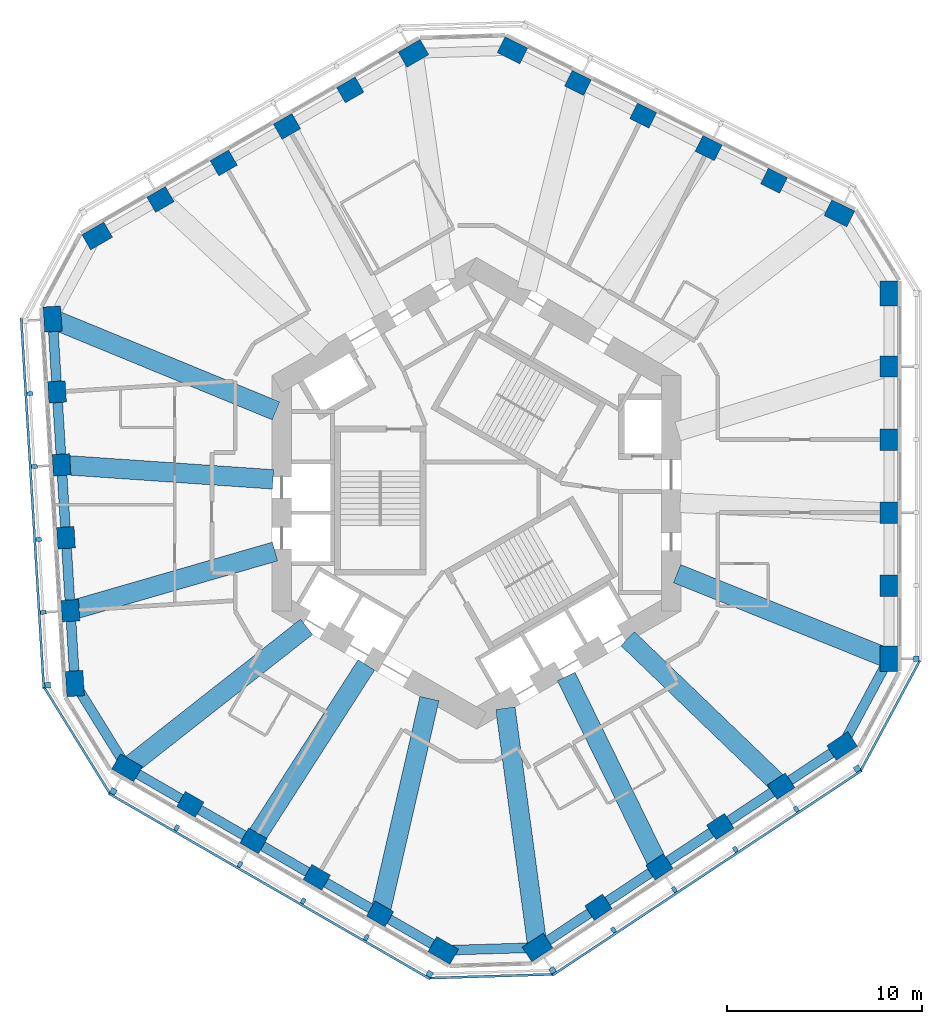
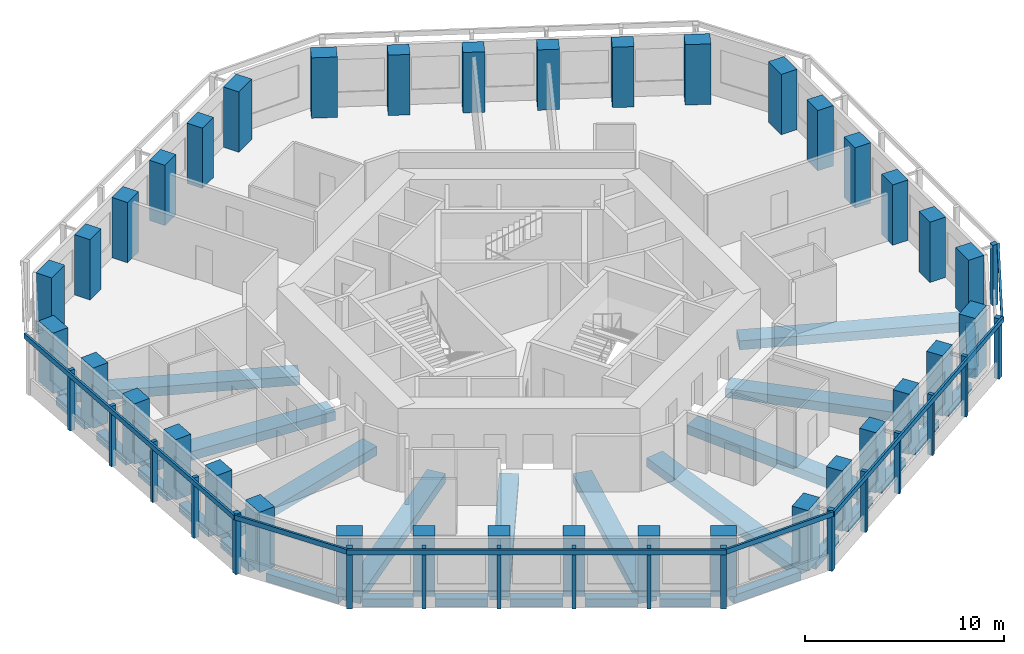
# One storey, part 1 of 11: 36 columns, 28 beams, 24 members, 7 elements without a shape of their own.
"""IFC4 building model written with IfcOpenShell, lengths in metres."""

from ifc_helpers import new_model, si_unit, direction, frame, origin, origin_2d, place, context, subcontext, project, spatial, rectangle, extrude, material, material_profile, profile_set, type_object, element, aggregate, save


model = new_model("IFC4")

# Units and contexts
model_context = context("Model", 3, precision=1e-05, world=origin(), true_north=direction((0.0, 1.0)))
body_context = subcontext(model_context, "Body", "Model", "MODEL_VIEW")
ifc_project = project(units=[si_unit("LENGTHUNIT", "METRE"), si_unit("AREAUNIT", "SQUARE_METRE"), si_unit("VOLUMEUNIT", "CUBIC_METRE"), si_unit("PLANEANGLEUNIT", "RADIAN"), si_unit("MASSUNIT", "GRAM", prefix="KILO")], contexts=[model_context])

# Site, building, storey
site_placement = place(None, origin())
site = spatial("IfcSite", under=ifc_project, at=site_placement, CompositionType="ELEMENT")
building_placement = place(site_placement, origin())
building = spatial("IfcBuilding", under=site, at=building_placement, Name="Vanh Sen Convention Tower", CompositionType="ELEMENT")
storey_placement = place(building_placement, frame((0.0, 0.0, 150.300048828125)))
storey = spatial("IfcBuildingStorey", under=building, at=storey_placement, Name="L36", CompositionType="ELEMENT", Elevation=150.300048828125)

# Columns
ifc_material_1 = material(Name="Concrete C80/95", Category="concrete")
ifc_material_profile_1 = material_profile(ifc_material_1, rectangle(XDim=1.10009765625, YDim=0.89990234375, at=origin_2d()), Name="RC 1100X900")
ifc_profile_set_1 = profile_set([ifc_material_profile_1], Name="Concrete C80/95")
column_type_1 = type_object("IfcColumnType", Name="Facade column 1100 x 900 C80/95", PredefinedType="COLUMN", material=ifc_profile_set_1)
for number, where, z_axis, x_axis, name in (
    (1, (21.199951171875, -4.746826171875, 0.0), (0.0, 0.0, 1.0), (0.0, 1.0, 0.0), "Facade column 02 L36"),
    (2, (21.199951171875, -0.992919921875, 0.0), (0.0, 0.0, 1.0), (0.0, 1.0, 0.0), "Facade column 03 L36"),
    (3, (21.199951171875, 2.76123046875, 0.0), (0.0, 0.0, 1.0), (0.0, 1.0, 0.0), "Facade column 04 L36"),
    (4, (21.199951171875, 6.515380859375, 0.0), (0.0, 0.0, 1.0), (0.0, 1.0, 0.0), "Facade column 05 L36"),
    (5, (15.290283203125, 16.0654296875, 0.0), (0.0, 0.0, 1.0), (-0.894934361602, 0.44619781311, 0.0), "Facade column 08 L36"),
    (6, (11.9306640625, 17.740478515625, 0.0), (0.0, 0.0, 1.0), (-0.894934361602, 0.44619781311, 0.0), "Facade column 09 L36"),
    (7, (8.57080078125, 19.41552734375, 0.0), (0.0, 0.0, 1.0), (-0.894934361602, 0.44619781311, 0.0), "Facade column 10 L36"),
    (8, (5.211181640625, 21.0908203125, 0.0), (0.0, 0.0, 1.0), (-0.894934361602, 0.44619781311, 0.0), "Facade column 11 L36"),
    (9, (-6.489013671875, 20.733154296875, 0.0), (0.0, 0.0, 1.0), (-0.866025403784, -0.5, 0.0), "Facade column 14 L36"),
    (10, (-9.740234375, 18.856201171875, 0.0), (0.0, 0.0, 1.0), (-0.866025403784, -0.5, 0.0), "Facade column 15 L36"),
    (11, (-12.991455078125, 16.97900390625, 0.0), (0.0, 0.0, 1.0), (-0.866025403784, -0.5, 0.0), "Facade column 16 L36"),
    (12, (-16.242431640625, 15.10205078125, 0.0), (0.0, 0.0, 1.0), (-0.866025403784, -0.5, 0.0), "Facade column 17 L36"),
    (13, (-21.55810546875, 5.208984375, 0.0), (0.0, 0.0, 1.0), (0.061048539535, -0.998134798422, 0.0), "Facade column 20 L36"),
    (14, (-21.3291015625, 1.4619140625, 0.0), (0.0, 0.0, 1.0), (0.061048539535, -0.998134798422, 0.0), "Facade column 21 L36"),
    (15, (-21.099853515625, -2.28515625, 0.0), (0.0, 0.0, 1.0), (0.061048539535, -0.998134798422, 0.0), "Facade column 22 L36"),
    (16, (-20.87060546875, -6.0322265625, 0.0), (0.0, 0.0, 1.0), (0.061048539535, -0.998134798422, 0.0), "Facade column 23 L36"),
    (17, (-14.7109375, -15.986328125, 0.0), (0.0, 0.0, 1.0), (0.866025403784, -0.5, 0.0), "Facade column 26 L36"),
    (18, (-11.459716796875, -17.86328125, 0.0), (0.0, 0.0, 1.0), (0.866025403784, -0.5, 0.0), "Facade column 27 L36"),
    (19, (-8.20849609375, -19.740478515625, 0.0), (0.0, 0.0, 1.0), (0.866025403784, -0.5, 0.0), "Facade column 28 L36"),
    (20, (-4.95751953125, -21.617431640625, 0.0), (0.0, 0.0, 1.0), (0.866025403784, -0.5, 0.0), "Facade column 29 L36"),
    (21, (6.267822265625, -21.2744140625, 0.0), (0.0, 0.0, 1.0), (0.833885822067, 0.551936985312, 0.0), "Facade column 32 L36"),
    (22, (9.3984375, -19.202392578125, 0.0), (0.0, 0.0, 1.0), (0.833885822067, 0.551936985312, 0.0), "Facade column 33 L36"),
    (23, (12.52880859375, -17.13037109375, 0.0), (0.0, 0.0, 1.0), (0.833885822067, 0.551936985312, 0.0), "Facade column 34 L36"),
    (24, (15.659423828125, -15.058349609375, 0.0), (0.0, 0.0, 1.0), (0.833885822067, 0.551936985312, 0.0), "Facade column 35 L36"),
):
    element("IfcColumn", number, at=place(storey_placement, frame(where, z_axis=z_axis, x_axis=x_axis)), inside=storey, type_object=column_type_1, Name=name, PredefinedType="COLUMN", context=body_context, shape_type="SweptSolid", body=[
        extrude(rectangle(XDim=1.10009765625, YDim=0.89990234375, at=origin_2d()), origin(), (0.0, 0.0, 1.0), 3.699951171875),
    ])
ifc_material_profile_2 = material_profile(ifc_material_1, rectangle(XDim=1.300048828125, YDim=0.89990234375, at=origin_2d()), Name="RC 1300X900")
ifc_profile_set_2 = profile_set([ifc_material_profile_2], Name="Concrete C80/95")
column_type_2 = type_object("IfcColumnType", Name="Facade corner column 1300 x 900 C80/95", PredefinedType="COLUMN", material=ifc_profile_set_2)
for number, where, z_axis, x_axis, name in (
    (25, (21.199951171875, -8.5009765625, 0.0), (0.0, 0.0, 1.0), (0.0, 1.0, 0.0), "Facade column 01 L36"),
    (26, (21.199951171875, 10.26953125, 0.0), (0.0, 0.0, 1.0), (0.0, 1.0, 0.0), "Facade column 06 L36"),
    (27, (18.64990234375, 14.390380859375, 0.0), (0.0, 0.0, 1.0), (-0.894934361602, 0.44619781311, 0.0), "Facade column 07 L36"),
    (28, (1.8515625, 22.765625, 0.0), (0.0, 0.0, 1.0), (-0.894934361602, 0.44619781311, 0.0), "Facade column 12 L36"),
    (29, (-3.23779296875, 22.610107421875, 0.0), (0.0, 0.0, 1.0), (-0.866025403784, -0.5, 0.0), "Facade column 13 L36"),
    (30, (-19.49365234375, 13.22509765625, 0.0), (0.0, 0.0, 1.0), (-0.866025403784, -0.5, 0.0), "Facade column 18 L36"),
    (31, (-21.787353515625, 8.956298828125, 0.0), (0.0, 0.0, 1.0), (0.061048539535, -0.998134798422, 0.0), "Facade column 19 L36"),
    (32, (-20.6416015625, -9.779296875, 0.0), (0.0, 0.0, 1.0), (0.061048539535, -0.998134798422, 0.0), "Facade column 24 L36"),
    (33, (-17.962158203125, -14.109130859375, 0.0), (0.0, 0.0, 1.0), (0.866025403784, -0.5, 0.0), "Facade column 25 L36"),
    (34, (-1.706298828125, -23.494384765625, 0.0), (0.0, 0.0, 1.0), (0.866025403784, -0.5, 0.0), "Facade column 30 L36"),
    (35, (3.137451171875, -23.346435546875, 0.0), (0.0, 0.0, 1.0), (0.833885822067, 0.551936985312, 0.0), "Facade column 31 L36"),
    (36, (18.789794921875, -12.986328125, 0.0), (0.0, 0.0, 1.0), (0.833885822067, 0.551936985312, 0.0), "Facade column 36 L36"),
):
    element("IfcColumn", number, at=place(storey_placement, frame(where, z_axis=z_axis, x_axis=x_axis)), inside=storey, type_object=column_type_2, Name=name, PredefinedType="COLUMN", context=body_context, shape_type="SweptSolid", body=[
        extrude(rectangle(XDim=1.300048828125, YDim=0.89990234375, at=origin_2d()), origin(), (0.0, 0.0, 1.0), 3.699951171875),
    ])

# Curtain wall, member
ifc_material_2 = material(Name="Concrete C50/60", Category="concrete")
curtain_wall_type = type_object("IfcCurtainWallType", Name="Outer skin office zone", PredefinedType="NOTDEFINED", material=ifc_material_2)
curtain_wall_1_placement = place(storey_placement, origin())
curtain_wall_1 = element("IfcCurtainWall", 37, at=curtain_wall_1_placement, inside=storey, type_object=curtain_wall_type, Name="OUTER SKIN E L36", PredefinedType="NOTDEFINED")
ifc_material_profile_3 = material_profile(ifc_material_2, rectangle(XDim=0.300048828125, YDim=0.300048828125, at=origin_2d()), Name="Outer skin precast corner fin 300 x 300")
ifc_profile_set_3 = profile_set([ifc_material_profile_3], Name="Concrete C50/60")
member_type_1 = type_object("IfcMemberType", Name="Outer skin precast corner fin 300 x 300", PredefinedType="MULLION", material=ifc_profile_set_3)
member_1_placement = place(storey_placement, frame((22.60009765625, -8.5009765625, 0.0), z_axis=(0.0, 0.0, 1.0), x_axis=(0.0, 1.0, 0.0)))
member_1 = element("IfcMember", 38, at=member_1_placement, type_object=member_type_1, Name="OUTER SKIN CORNER FIN 1 E L36", PredefinedType="MULLION", context=body_context, shape_type="SweptSolid", body=[
    extrude(rectangle(XDim=0.300048828125, YDim=0.300048828125, at=origin_2d()), origin(), (0.0, 0.0, 1.0), 3.699951171875),
])
aggregate(curtain_wall_1, [member_1])

curtain_wall_2_placement = place(storey_placement, origin())
curtain_wall_2 = element("IfcCurtainWall", 39, at=curtain_wall_2_placement, inside=storey, type_object=curtain_wall_type, Name="OUTER SKIN W L36", PredefinedType="NOTDEFINED")
member_2_placement = place(storey_placement, frame((-22.038818359375, -9.864990234375, 0.0), z_axis=(0.0, 0.0, 1.0), x_axis=(0.061048539535, -0.998134798422, 0.0)))
member_2 = element("IfcMember", 40, at=member_2_placement, type_object=member_type_1, Name="OUTER SKIN CORNER FIN 6 W L36", PredefinedType="MULLION", context=body_context, shape_type="SweptSolid", body=[
    extrude(rectangle(XDim=0.300048828125, YDim=0.300048828125, at=origin_2d()), origin(), (0.0, 0.0, 1.0), 3.699951171875),
])

# Curtain wall, members
curtain_wall_3_placement = place(storey_placement, origin())
curtain_wall_3 = element("IfcCurtainWall", 41, at=curtain_wall_3_placement, inside=storey, type_object=curtain_wall_type, Name="OUTER SKIN SW L36", PredefinedType="NOTDEFINED")
member_3_placement = place(storey_placement, frame((-18.662109375, -15.321533203125, 0.0), z_axis=(0.0, 0.0, 1.0), x_axis=(0.866025403784, -0.5, 0.0)))
member_3 = element("IfcMember", 42, at=member_3_placement, type_object=member_type_1, Name="OUTER SKIN CORNER FIN 1 SW L36", PredefinedType="MULLION", context=body_context, shape_type="SweptSolid", body=[
    extrude(rectangle(XDim=0.300048828125, YDim=0.300048828125, at=origin_2d()), origin(), (0.0, 0.0, 1.0), 3.699951171875),
])
member_4_placement = place(storey_placement, frame((-2.40625, -24.706787109375, 0.0), z_axis=(0.0, 0.0, 1.0), x_axis=(0.866025403784, -0.5, 0.0)))
member_4 = element("IfcMember", 43, at=member_4_placement, type_object=member_type_1, Name="OUTER SKIN CORNER FIN 6 SW L36", PredefinedType="MULLION", context=body_context, shape_type="SweptSolid", body=[
    extrude(rectangle(XDim=0.300048828125, YDim=0.300048828125, at=origin_2d()), origin(), (0.0, 0.0, 1.0), 3.699951171875),
])

curtain_wall_4_placement = place(storey_placement, origin())
curtain_wall_4 = element("IfcCurtainWall", 44, at=curtain_wall_4_placement, inside=storey, type_object=curtain_wall_type, Name="OUTER SKIN SE L36", PredefinedType="NOTDEFINED")
member_5_placement = place(storey_placement, frame((3.91015625, -24.513916015625, 0.0), z_axis=(0.0, 0.0, 1.0), x_axis=(0.833885822067, 0.551936985312, 0.0)))
member_5 = element("IfcMember", 45, at=member_5_placement, type_object=member_type_1, Name="OUTER SKIN CORNER FIN 1 SE L36", PredefinedType="MULLION", context=body_context, shape_type="SweptSolid", body=[
    extrude(rectangle(XDim=0.300048828125, YDim=0.300048828125, at=origin_2d()), origin(), (0.0, 0.0, 1.0), 3.699951171875),
])
member_6_placement = place(storey_placement, frame((19.5625, -14.15380859375, 0.0), z_axis=(0.0, 0.0, 1.0), x_axis=(0.833885822067, 0.551936985312, 0.0)))
member_6 = element("IfcMember", 46, at=member_6_placement, type_object=member_type_1, Name="OUTER SKIN CORNER FIN 6 SE L36", PredefinedType="MULLION", context=body_context, shape_type="SweptSolid", body=[
    extrude(rectangle(XDim=0.300048828125, YDim=0.300048828125, at=origin_2d()), origin(), (0.0, 0.0, 1.0), 3.699951171875),
])

# Member
ifc_material_profile_4 = material_profile(ifc_material_2, rectangle(XDim=0.199951171875, YDim=0.300048828125, at=origin_2d()), Name="Outer skin precast fin 200 x 300")
ifc_profile_set_4 = profile_set([ifc_material_profile_4], Name="Concrete C50/60")
member_type_2 = type_object("IfcMemberType", Name="Outer skin precast fin 200 x 300", PredefinedType="MULLION", material=ifc_profile_set_4)
member_7_placement = place(storey_placement, frame((-22.95556640625, 5.12353515625, 0.0), z_axis=(0.0, 0.0, 1.0), x_axis=(0.061048539535, -0.998134798422, 0.0)))
member_7 = element("IfcMember", 47, at=member_7_placement, type_object=member_type_2, Name="OUTER SKIN fin 2 W L36", PredefinedType="MULLION", context=body_context, shape_type="SweptSolid", body=[
    extrude(rectangle(XDim=0.199951171875, YDim=0.300048828125, at=origin_2d()), origin(), (0.0, 0.0, 1.0), 3.699951171875),
])

member_8_placement = place(storey_placement, frame((-22.726318359375, 1.37646484375, 0.0), z_axis=(0.0, 0.0, 1.0), x_axis=(0.061048539535, -0.998134798422, 0.0)))
member_8 = element("IfcMember", 48, at=member_8_placement, type_object=member_type_2, Name="OUTER SKIN fin 3 W L36", PredefinedType="MULLION", context=body_context, shape_type="SweptSolid", body=[
    extrude(rectangle(XDim=0.199951171875, YDim=0.300048828125, at=origin_2d()), origin(), (0.0, 0.0, 1.0), 3.699951171875),
])

member_9_placement = place(storey_placement, frame((-22.497314453125, -2.37060546875, 0.0), z_axis=(0.0, 0.0, 1.0), x_axis=(0.061048539535, -0.998134798422, 0.0)))
member_9 = element("IfcMember", 49, at=member_9_placement, type_object=member_type_2, Name="OUTER SKIN fin 4 W L36", PredefinedType="MULLION", context=body_context, shape_type="SweptSolid", body=[
    extrude(rectangle(XDim=0.199951171875, YDim=0.300048828125, at=origin_2d()), origin(), (0.0, 0.0, 1.0), 3.699951171875),
])

member_10_placement = place(storey_placement, frame((-22.26806640625, -6.117919921875, 0.0), z_axis=(0.0, 0.0, 1.0), x_axis=(0.061048539535, -0.998134798422, 0.0)))
member_10 = element("IfcMember", 50, at=member_10_placement, type_object=member_type_2, Name="OUTER SKIN fin 5 W L36", PredefinedType="MULLION", context=body_context, shape_type="SweptSolid", body=[
    extrude(rectangle(XDim=0.199951171875, YDim=0.300048828125, at=origin_2d()), origin(), (0.0, 0.0, 1.0), 3.699951171875),
])

member_11_placement = place(storey_placement, frame((-15.410888671875, -17.19873046875, 0.0), z_axis=(0.0, 0.0, 1.0), x_axis=(0.866025403784, -0.5, 0.0)))
member_11 = element("IfcMember", 51, at=member_11_placement, type_object=member_type_2, Name="OUTER SKIN fin 2 SW L36", PredefinedType="MULLION", context=body_context, shape_type="SweptSolid", body=[
    extrude(rectangle(XDim=0.199951171875, YDim=0.300048828125, at=origin_2d()), origin(), (0.0, 0.0, 1.0), 3.699951171875),
])

member_12_placement = place(storey_placement, frame((-12.159912109375, -19.07568359375, 0.0), z_axis=(0.0, 0.0, 1.0), x_axis=(0.866025403784, -0.5, 0.0)))
member_12 = element("IfcMember", 52, at=member_12_placement, type_object=member_type_2, Name="OUTER SKIN fin 3 SW L36", PredefinedType="MULLION", context=body_context, shape_type="SweptSolid", body=[
    extrude(rectangle(XDim=0.199951171875, YDim=0.300048828125, at=origin_2d()), origin(), (0.0, 0.0, 1.0), 3.699951171875),
])

member_13_placement = place(storey_placement, frame((-8.90869140625, -20.952880859375, 0.0), z_axis=(0.0, 0.0, 1.0), x_axis=(0.866025403784, -0.5, 0.0)))
member_13 = element("IfcMember", 53, at=member_13_placement, type_object=member_type_2, Name="OUTER SKIN fin 4 SW L36", PredefinedType="MULLION", context=body_context, shape_type="SweptSolid", body=[
    extrude(rectangle(XDim=0.199951171875, YDim=0.300048828125, at=origin_2d()), origin(), (0.0, 0.0, 1.0), 3.699951171875),
])

member_14_placement = place(storey_placement, frame((-5.657470703125, -22.829833984375, 0.0), z_axis=(0.0, 0.0, 1.0), x_axis=(0.866025403784, -0.5, 0.0)))
member_14 = element("IfcMember", 54, at=member_14_placement, type_object=member_type_2, Name="OUTER SKIN fin 5 SW L36", PredefinedType="MULLION", context=body_context, shape_type="SweptSolid", body=[
    extrude(rectangle(XDim=0.199951171875, YDim=0.300048828125, at=origin_2d()), origin(), (0.0, 0.0, 1.0), 3.699951171875),
])

member_15_placement = place(storey_placement, frame((7.04052734375, -22.44189453125, 0.0), z_axis=(0.0, 0.0, 1.0), x_axis=(0.833885822067, 0.551936985312, 0.0)))
member_15 = element("IfcMember", 55, at=member_15_placement, type_object=member_type_2, Name="OUTER SKIN fin 2 SE L36", PredefinedType="MULLION", context=body_context, shape_type="SweptSolid", body=[
    extrude(rectangle(XDim=0.199951171875, YDim=0.300048828125, at=origin_2d()), origin(), (0.0, 0.0, 1.0), 3.699951171875),
])

member_16_placement = place(storey_placement, frame((10.171142578125, -20.369873046875, 0.0), z_axis=(0.0, 0.0, 1.0), x_axis=(0.833885822067, 0.551936985312, 0.0)))
member_16 = element("IfcMember", 56, at=member_16_placement, type_object=member_type_2, Name="OUTER SKIN fin 3 SE L36", PredefinedType="MULLION", context=body_context, shape_type="SweptSolid", body=[
    extrude(rectangle(XDim=0.199951171875, YDim=0.300048828125, at=origin_2d()), origin(), (0.0, 0.0, 1.0), 3.699951171875),
])

member_17_placement = place(storey_placement, frame((13.301513671875, -18.2978515625, 0.0), z_axis=(0.0, 0.0, 1.0), x_axis=(0.833885822067, 0.551936985312, 0.0)))
member_17 = element("IfcMember", 57, at=member_17_placement, type_object=member_type_2, Name="OUTER SKIN fin 4 SE L36", PredefinedType="MULLION", context=body_context, shape_type="SweptSolid", body=[
    extrude(rectangle(XDim=0.199951171875, YDim=0.300048828125, at=origin_2d()), origin(), (0.0, 0.0, 1.0), 3.699951171875),
])

member_18_placement = place(storey_placement, frame((16.43212890625, -16.225830078125, 0.0), z_axis=(0.0, 0.0, 1.0), x_axis=(0.833885822067, 0.551936985312, 0.0)))
member_18 = element("IfcMember", 58, at=member_18_placement, type_object=member_type_2, Name="OUTER SKIN fin 5 SE L36", PredefinedType="MULLION", context=body_context, shape_type="SweptSolid", body=[
    extrude(rectangle(XDim=0.199951171875, YDim=0.300048828125, at=origin_2d()), origin(), (0.0, 0.0, 1.0), 3.699951171875),
])

ifc_material_profile_5 = material_profile(ifc_material_2, rectangle(XDim=0.1201171875, YDim=0.300048828125, at=origin_2d()), Name="Outer skin precast spandrel band 300 x 120")
ifc_profile_set_5 = profile_set([ifc_material_profile_5], Name="Concrete C50/60")
member_type_3 = type_object("IfcMemberType", Name="Outer skin precast spandrel band 300 x 120", PredefinedType="USERDEFINED", material=ifc_profile_set_5)
member_19_placement = place(storey_placement, frame((-23.403564453125, 9.007568359375, 3.550048828125), z_axis=(0.061052799403, -0.998134537868, 0.0), x_axis=(0.998134537868, 0.061052799403, 0.0)))
member_19 = element("IfcMember", 59, at=member_19_placement, type_object=member_type_3, Name="OUTER SKIN spandrel band W L36", ObjectType="TRANSOM", PredefinedType="USERDEFINED", context=body_context, shape_type="SweptSolid", body=[
    extrude(rectangle(XDim=0.1201171875, YDim=0.300048828125, at=origin_2d()), origin(), (0.0, 0.0, 1.0), 19.070556640625),
])

aggregate(curtain_wall_2, [member_7, member_8, member_9, member_10, member_2, member_19])

# Curtain wall, member
curtain_wall_5_placement = place(storey_placement, origin())
curtain_wall_5 = element("IfcCurtainWall", 60, at=curtain_wall_5_placement, inside=storey, type_object=curtain_wall_type, Name="OUTER SKIN CH4 L36", PredefinedType="NOTDEFINED")
member_20_placement = place(storey_placement, frame((-22.217529296875, -9.975341796875, 3.550048828125), z_axis=(0.526207913146, -0.85035594438, 0.0), x_axis=(0.85035594438, 0.526207913146, 0.0)))
member_20 = element("IfcMember", 61, at=member_20_placement, type_object=member_type_3, Name="OUTER SKIN spandrel band CH4 L36", ObjectType="TRANSOM", PredefinedType="USERDEFINED", context=body_context, shape_type="SweptSolid", body=[
    extrude(rectangle(XDim=0.1201171875, YDim=0.300048828125, at=origin_2d()), origin(), (0.0, 0.0, 1.0), 6.4169921875),
])
aggregate(curtain_wall_5, [member_20])

# Member
member_21_placement = place(storey_placement, frame((-18.89697265625, -15.428466796875, 3.550048828125), z_axis=(0.866023136587, -0.500003926881, 0.0), x_axis=(0.500003926881, 0.866023136587, 0.0)))
member_21 = element("IfcMember", 62, at=member_21_placement, type_object=member_type_3, Name="OUTER SKIN spandrel band SW L36", ObjectType="TRANSOM", PredefinedType="USERDEFINED", context=body_context, shape_type="SweptSolid", body=[
    extrude(rectangle(XDim=0.1201171875, YDim=0.300048828125, at=origin_2d()), origin(), (0.0, 0.0, 1.0), 19.070556640625),
])

aggregate(curtain_wall_3, [member_3, member_11, member_12, member_13, member_14, member_4, member_21])

# Curtain wall, member
curtain_wall_6_placement = place(storey_placement, origin())
curtain_wall_6 = element("IfcCurtainWall", 63, at=curtain_wall_6_placement, inside=storey, type_object=curtain_wall_type, Name="OUTER SKIN CH5 L36", PredefinedType="NOTDEFINED")
member_22_placement = place(storey_placement, frame((-2.39990234375, -24.916748046875, 3.550048828125), z_axis=(0.99953413443, 0.030520716071, 0.0), x_axis=(-0.030520716071, 0.99953413443, 0.0)))
member_22 = element("IfcMember", 64, at=member_22_placement, type_object=member_type_3, Name="OUTER SKIN spandrel band CH5 L36", ObjectType="TRANSOM", PredefinedType="USERDEFINED", context=body_context, shape_type="SweptSolid", body=[
    extrude(rectangle(XDim=0.1201171875, YDim=0.300048828125, at=origin_2d()), origin(), (0.0, 0.0, 1.0), 6.3193359375),
])
aggregate(curtain_wall_6, [member_22])

# Member
member_23_placement = place(storey_placement, frame((3.90087890625, -24.771728515625, 3.550048828125), z_axis=(0.833891134859, 0.551928958475, 0.0), x_axis=(-0.551928958475, 0.833891134859, 0.0)))
member_23 = element("IfcMember", 65, at=member_23_placement, type_object=member_type_3, Name="OUTER SKIN spandrel band SE L36", ObjectType="TRANSOM", PredefinedType="USERDEFINED", context=body_context, shape_type="SweptSolid", body=[
    extrude(rectangle(XDim=0.1201171875, YDim=0.300048828125, at=origin_2d()), origin(), (0.0, 0.0, 1.0), 19.070556640625),
])

aggregate(curtain_wall_4, [member_5, member_15, member_16, member_17, member_18, member_6, member_23])

# Curtain wall, member
curtain_wall_7_placement = place(storey_placement, origin())
curtain_wall_7 = element("IfcCurtainWall", 66, at=curtain_wall_7_placement, inside=storey, type_object=curtain_wall_type, Name="OUTER SKIN CH6 L36", PredefinedType="NOTDEFINED")
member_24_placement = place(storey_placement, frame((19.74755859375, -14.253173828125, 3.550048828125), z_axis=(0.473316922434, 0.880892213008, 0.0), x_axis=(-0.880892213008, 0.473316922434, 0.0)))
member_24 = element("IfcMember", 67, at=member_24_placement, type_object=member_type_3, Name="OUTER SKIN spandrel band CH6 L36", ObjectType="TRANSOM", PredefinedType="USERDEFINED", context=body_context, shape_type="SweptSolid", body=[
    extrude(rectangle(XDim=0.1201171875, YDim=0.300048828125, at=origin_2d()), origin(), (0.0, 0.0, 1.0), 6.417236328125),
])
aggregate(curtain_wall_7, [member_24])

# Beams
ifc_material_3 = material(Name="Concrete C50/60", Category="concrete")
ifc_material_profile_6 = material_profile(ifc_material_3, rectangle(XDim=1.0, YDim=0.550048828125, at=origin_2d()), Name="RC 1000X550")
ifc_profile_set_6 = profile_set([ifc_material_profile_6], Name="Concrete C50/60")
beam_type_1 = type_object("IfcBeamType", Name="Radial floor beam 1000 x 550", PredefinedType="BEAM", material=ifc_profile_set_6)
beam_1_placement = place(storey_placement, frame((20.940673828125, -8.39697265625, -0.554931640625), z_axis=(-0.928155894618, 0.372191664718, 0.0), x_axis=(-0.372191664718, -0.928155894618, 0.0)))
element("IfcBeam", 68, at=beam_1_placement, inside=storey, type_object=beam_type_1, Name="Radial beam 01 L36", PredefinedType="BEAM", context=body_context, shape_type="SweptSolid", body=[
    extrude(rectangle(XDim=1.0, YDim=0.550048828125, at=origin_2d()), origin(), (0.0, 0.0, 1.0), 11.454345703125),
])
beam_2_placement = place(storey_placement, frame((-21.5537109375, 8.860107421875, -0.554931640625), z_axis=(0.924898704651, -0.380213605932, 0.0), x_axis=(0.380213605932, 0.924898704651, 0.0)))
element("IfcBeam", 69, at=beam_2_placement, inside=storey, type_object=beam_type_1, Name="Radial beam 10 L36", PredefinedType="BEAM", context=body_context, shape_type="SweptSolid", body=[
    extrude(rectangle(XDim=1.0, YDim=0.550048828125, at=origin_2d()), origin(), (0.0, 0.0, 1.0), 12.16162109375),
])
beam_3_placement = place(storey_placement, frame((-20.9462890625, 1.435791015625, -0.554931640625), z_axis=(0.997658941032, -0.068385944315, 0.0), x_axis=(0.068385944315, 0.997658941032, 0.0)))
element("IfcBeam", 70, at=beam_3_placement, inside=storey, type_object=beam_type_1, Name="Radial beam 11 L36", PredefinedType="BEAM", context=body_context, shape_type="SweptSolid", body=[
    extrude(rectangle(XDim=1.0, YDim=0.550048828125, at=origin_2d()), origin(), (0.0, 0.0, 1.0), 10.51025390625),
])
beam_4_placement = place(storey_placement, frame((-20.602783203125, -5.954833984375, -0.554931640625), z_axis=(0.960679861027, 0.277658431563, 0.0), x_axis=(-0.277658431563, 0.960679861027, 0.0)))
element("IfcBeam", 71, at=beam_4_placement, inside=storey, type_object=beam_type_1, Name="Radial beam 12 L36", PredefinedType="BEAM", context=body_context, shape_type="SweptSolid", body=[
    extrude(rectangle(XDim=1.0, YDim=0.550048828125, at=origin_2d()), origin(), (0.0, 0.0, 1.0), 10.665771484375),
])
beam_5_placement = place(storey_placement, frame((-17.742431640625, -13.936767578125, -0.554931640625), z_axis=(0.786390075882, 0.617730239307, 0.0), x_axis=(-0.617730239307, 0.786390075882, 0.0)))
element("IfcBeam", 72, at=beam_5_placement, inside=storey, type_object=beam_type_1, Name="Radial beam 13 L36", PredefinedType="BEAM", context=body_context, shape_type="SweptSolid", body=[
    extrude(rectangle(XDim=1.0, YDim=0.550048828125, at=origin_2d()), origin(), (0.0, 0.0, 1.0), 11.454345703125),
])
beam_6_placement = place(storey_placement, frame((-11.23193359375, -17.508056640625, -0.554931640625), z_axis=(0.539975252329, 0.841680893731, 0.0), x_axis=(-0.841680893731, 0.539975252329, 0.0)))
element("IfcBeam", 73, at=beam_6_placement, inside=storey, type_object=beam_type_1, Name="Radial beam 14 L36", PredefinedType="BEAM", context=body_context, shape_type="SweptSolid", body=[
    extrude(rectangle(XDim=1.0, YDim=0.550048828125, at=origin_2d()), origin(), (0.0, 0.0, 1.0), 10.318115234375),
])
beam_7_placement = place(storey_placement, frame((-4.90380859375, -21.38330078125, -0.554931640625), z_axis=(0.22352270498, 0.974698722867, 0.0), x_axis=(-0.974698722867, 0.22352270498, 0.0)))
element("IfcBeam", 74, at=beam_7_placement, inside=storey, type_object=beam_type_1, Name="Radial beam 15 L36", PredefinedType="BEAM", context=body_context, shape_type="SweptSolid", body=[
    extrude(rectangle(XDim=1.0, YDim=0.550048828125, at=origin_2d()), origin(), (0.0, 0.0, 1.0), 11.112548828125),
])
beam_8_placement = place(storey_placement, frame((3.103759765625, -23.095947265625, -0.554931640625), z_axis=(-0.133195875593, 0.991089732933, 0.0), x_axis=(-0.991089732933, -0.133195875593, 0.0)))
element("IfcBeam", 75, at=beam_8_placement, inside=storey, type_object=beam_type_1, Name="Radial beam 16 L36", PredefinedType="BEAM", context=body_context, shape_type="SweptSolid", body=[
    extrude(rectangle(XDim=1.0, YDim=0.550048828125, at=origin_2d()), origin(), (0.0, 0.0, 1.0), 12.16162109375),
])
beam_9_placement = place(storey_placement, frame((9.229736328125, -18.85791015625, -0.554931640625), z_axis=(-0.439596726485, 0.898195256091, 0.0), x_axis=(-0.898195256091, -0.439596726485, 0.0)))
element("IfcBeam", 76, at=beam_9_placement, inside=storey, type_object=beam_type_1, Name="Radial beam 17 L36", PredefinedType="BEAM", context=body_context, shape_type="SweptSolid", body=[
    extrude(rectangle(XDim=1.0, YDim=0.550048828125, at=origin_2d()), origin(), (0.0, 0.0, 1.0), 10.510009765625),
])
beam_10_placement = place(storey_placement, frame((15.458251953125, -14.864990234375, -0.554931640625), z_axis=(-0.720797435076, 0.693145769365, 0.0), x_axis=(-0.693145769365, -0.720797435076, 0.0)))
element("IfcBeam", 77, at=beam_10_placement, inside=storey, type_object=beam_type_1, Name="Radial beam 18 L36", PredefinedType="BEAM", context=body_context, shape_type="SweptSolid", body=[
    extrude(rectangle(XDim=1.0, YDim=0.550048828125, at=origin_2d()), origin(), (0.0, 0.0, 1.0), 10.66552734375),
])
ifc_material_profile_7 = material_profile(ifc_material_3, rectangle(XDim=0.5, YDim=0.5, at=origin_2d()), Name="RC 500X500")
ifc_profile_set_7 = profile_set([ifc_material_profile_7], Name="Concrete C50/60")
beam_type_2 = type_object("IfcBeamType", Name="Spandrel beam 500 x 500", PredefinedType="SPANDREL", material=ifc_profile_set_7)
beam_11_placement = place(storey_placement, frame((-21.748046875, 8.3125, -0.530029296875), z_axis=(0.061026827248, -0.998136126165, 0.0), x_axis=(0.998136126165, 0.061026827248, 0.0)))
element("IfcBeam", 78, at=beam_11_placement, inside=storey, type_object=beam_type_2, Name="Spandrel beam 19 L36", PredefinedType="SPANDREL", context=body_context, shape_type="SweptSolid", body=[
    extrude(rectangle(XDim=0.5, YDim=0.5, at=origin_2d()), origin(), (0.0, 0.0, 1.0), 2.564453125),
])
beam_12_placement = place(storey_placement, frame((-21.52490234375, 4.665283203125, -0.530029296875), z_axis=(0.061026226429, -0.9981361629, 0.0), x_axis=(0.9981361629, 0.061026226429, 0.0)))
element("IfcBeam", 79, at=beam_12_placement, inside=storey, type_object=beam_type_2, Name="Spandrel beam 20 L36", PredefinedType="SPANDREL", context=body_context, shape_type="SweptSolid", body=[
    extrude(rectangle(XDim=0.5, YDim=0.5, at=origin_2d()), origin(), (0.0, 0.0, 1.0), 2.664306640625),
])
for number, where, z_axis, x_axis, name in (
    (80, (-21.295654296875, 0.91796875, -0.530029296875), (0.061031808409, -0.998135821601, 0.0), (0.998135821601, 0.061031808409, 0.0), "Spandrel beam 21 L36"),
    (81, (-21.06640625, -2.8291015625, -0.530029296875), (0.060940509637, -0.998141399946, 0.0), (0.998141399946, 0.060940509637, 0.0), "Spandrel beam 22 L36"),
):
    element("IfcBeam", number, at=place(storey_placement, frame(where, z_axis=z_axis, x_axis=x_axis)), inside=storey, type_object=beam_type_2, Name=name, PredefinedType="SPANDREL", context=body_context, shape_type="SweptSolid", body=[
        extrude(rectangle(XDim=0.5, YDim=0.5, at=origin_2d()), origin(), (0.0, 0.0, 1.0), 2.6640625),
    ])
beam_13_placement = place(storey_placement, frame((-20.83740234375, -6.576171875, -0.530029296875), z_axis=(0.061032627068, -0.998135771543, 0.0), x_axis=(0.998135771543, 0.061032627068, 0.0)))
element("IfcBeam", 82, at=beam_13_placement, inside=storey, type_object=beam_type_2, Name="Spandrel beam 23 L36", PredefinedType="SPANDREL", context=body_context, shape_type="SweptSolid", body=[
    extrude(rectangle(XDim=0.5, YDim=0.5, at=origin_2d()), origin(), (0.0, 0.0, 1.0), 2.564208984375),
])
beam_14_placement = place(storey_placement, frame((-20.388671875, -10.18798828125, -0.530029296875), z_axis=(0.526232532359, -0.850340709297, 0.0), x_axis=(0.850340709297, 0.526232532359, 0.0)))
element("IfcBeam", 83, at=beam_14_placement, inside=storey, type_object=beam_type_2, Name="Spandrel beam 24 L36", PredefinedType="SPANDREL", context=body_context, shape_type="SweptSolid", body=[
    extrude(rectangle(XDim=0.5, YDim=0.5, at=origin_2d()), origin(), (0.0, 0.0, 1.0), 4.130859375),
])
beam_15_placement = place(storey_placement, frame((-17.403564453125, -14.431640625, -0.530029296875), z_axis=(0.866008007854, -0.500030129425, 0.0), x_axis=(0.500030129425, 0.866008007854, 0.0)))
element("IfcBeam", 84, at=beam_15_placement, inside=storey, type_object=beam_type_2, Name="Spandrel beam 25 L36", PredefinedType="SPANDREL", context=body_context, shape_type="SweptSolid", body=[
    extrude(rectangle(XDim=0.5, YDim=0.5, at=origin_2d()), origin(), (0.0, 0.0, 1.0), 2.564208984375),
])
for number, where, z_axis, x_axis, name in (
    (85, (-14.239013671875, -16.2587890625, -0.530029296875), (0.866023818221, -0.500002746266, 0.0), (0.500002746266, 0.866023818221, 0.0), "Spandrel beam 26 L36"),
    (86, (-10.98779296875, -18.1357421875, -0.530029296875), (0.8659841347, -0.500071473339, 0.0), (0.500071473339, 0.8659841347, 0.0), "Spandrel beam 27 L36"),
    (87, (-7.736572265625, -20.012939453125, -0.530029296875), (0.866023818221, -0.500002746266, 0.0), (0.500002746266, 0.866023818221, 0.0), "Spandrel beam 28 L36"),
):
    element("IfcBeam", number, at=place(storey_placement, frame(where, z_axis=z_axis, x_axis=x_axis)), inside=storey, type_object=beam_type_2, Name=name, PredefinedType="SPANDREL", context=body_context, shape_type="SweptSolid", body=[
        extrude(rectangle(XDim=0.5, YDim=0.5, at=origin_2d()), origin(), (0.0, 0.0, 1.0), 2.6640625),
    ])
beam_16_placement = place(storey_placement, frame((-4.485595703125, -21.889892578125, -0.530029296875), z_axis=(0.866008007854, -0.500030129425, 0.0), x_axis=(0.500030129425, 0.866008007854, 0.0)))
element("IfcBeam", 88, at=beam_16_placement, inside=storey, type_object=beam_type_2, Name="Spandrel beam 29 L36", PredefinedType="SPANDREL", context=body_context, shape_type="SweptSolid", body=[
    extrude(rectangle(XDim=0.5, YDim=0.5, at=origin_2d()), origin(), (0.0, 0.0, 1.0), 2.564208984375),
])
beam_17_placement = place(storey_placement, frame((-1.260498046875, -23.48095703125, -0.530029296875), z_axis=(0.999532756569, 0.03056580679, 0.0), x_axis=(-0.03056580679, 0.999532756569, 0.0)))
element("IfcBeam", 89, at=beam_17_placement, inside=storey, type_object=beam_type_2, Name="Spandrel beam 30 L36", PredefinedType="SPANDREL", context=body_context, shape_type="SweptSolid", body=[
    extrude(rectangle(XDim=0.5, YDim=0.5, at=origin_2d()), origin(), (0.0, 0.0, 1.0), 3.953857421875),
])
beam_18_placement = place(storey_placement, frame((3.67529296875, -22.990478515625, -0.530029296875), z_axis=(0.833876783429, 0.551950640961, 0.0), x_axis=(-0.551950640961, 0.833876783429, 0.0)))
element("IfcBeam", 90, at=beam_18_placement, inside=storey, type_object=beam_type_2, Name="Spandrel beam 31 L36", PredefinedType="SPANDREL", context=body_context, shape_type="SweptSolid", body=[
    extrude(rectangle(XDim=0.5, YDim=0.5, at=origin_2d()), origin(), (0.0, 0.0, 1.0), 2.564208984375),
])
beam_19_placement = place(storey_placement, frame((6.722412109375, -20.9736328125, -0.530029296875), z_axis=(0.833906773816, 0.551905329368, 0.0), x_axis=(-0.551905329368, 0.833906773816, 0.0)))
element("IfcBeam", 91, at=beam_19_placement, inside=storey, type_object=beam_type_2, Name="Spandrel beam 32 L36", PredefinedType="SPANDREL", context=body_context, shape_type="SweptSolid", body=[
    extrude(rectangle(XDim=0.5, YDim=0.5, at=origin_2d()), origin(), (0.0, 0.0, 1.0), 2.663818359375),
])
beam_20_placement = place(storey_placement, frame((9.852783203125, -18.901611328125, -0.530029296875), z_axis=(0.8338925114, 0.551926878699, 0.0), x_axis=(-0.551926878699, 0.8338925114, 0.0)))
element("IfcBeam", 92, at=beam_20_placement, inside=storey, type_object=beam_type_2, Name="Spandrel beam 33 L36", PredefinedType="SPANDREL", context=body_context, shape_type="SweptSolid", body=[
    extrude(rectangle(XDim=0.5, YDim=0.5, at=origin_2d()), origin(), (0.0, 0.0, 1.0), 2.664306640625),
])
beam_21_placement = place(storey_placement, frame((12.9833984375, -16.82958984375, -0.530029296875), z_axis=(0.833864593577, 0.551969056722, 0.0), x_axis=(-0.551969056722, 0.833864593577, 0.0)))
element("IfcBeam", 93, at=beam_21_placement, inside=storey, type_object=beam_type_2, Name="Spandrel beam 34 L36", PredefinedType="SPANDREL", context=body_context, shape_type="SweptSolid", body=[
    extrude(rectangle(XDim=0.5, YDim=0.5, at=origin_2d()), origin(), (0.0, 0.0, 1.0), 2.6640625),
])
beam_22_placement = place(storey_placement, frame((16.114013671875, -14.757568359375, -0.530029296875), z_axis=(0.833847773334, 0.551994466372, 0.0), x_axis=(-0.551994466372, 0.833847773334, 0.0)))
element("IfcBeam", 94, at=beam_22_placement, inside=storey, type_object=beam_type_2, Name="Spandrel beam 35 L36", PredefinedType="SPANDREL", context=body_context, shape_type="SweptSolid", body=[
    extrude(rectangle(XDim=0.5, YDim=0.5, at=origin_2d()), origin(), (0.0, 0.0, 1.0), 2.56396484375),
])
beam_23_placement = place(storey_placement, frame((19.017333984375, -12.563232421875, -0.530029296875), z_axis=(0.473331343441, 0.880884464227, 0.0), x_axis=(-0.880884464227, 0.473331343441, 0.0)))
element("IfcBeam", 95, at=beam_23_placement, inside=storey, type_object=beam_type_2, Name="Spandrel beam 36 L36", PredefinedType="SPANDREL", context=body_context, shape_type="SweptSolid", body=[
    extrude(rectangle(XDim=0.5, YDim=0.5, at=origin_2d()), origin(), (0.0, 0.0, 1.0), 4.130859375),
])

save(model, "model.ifc")
